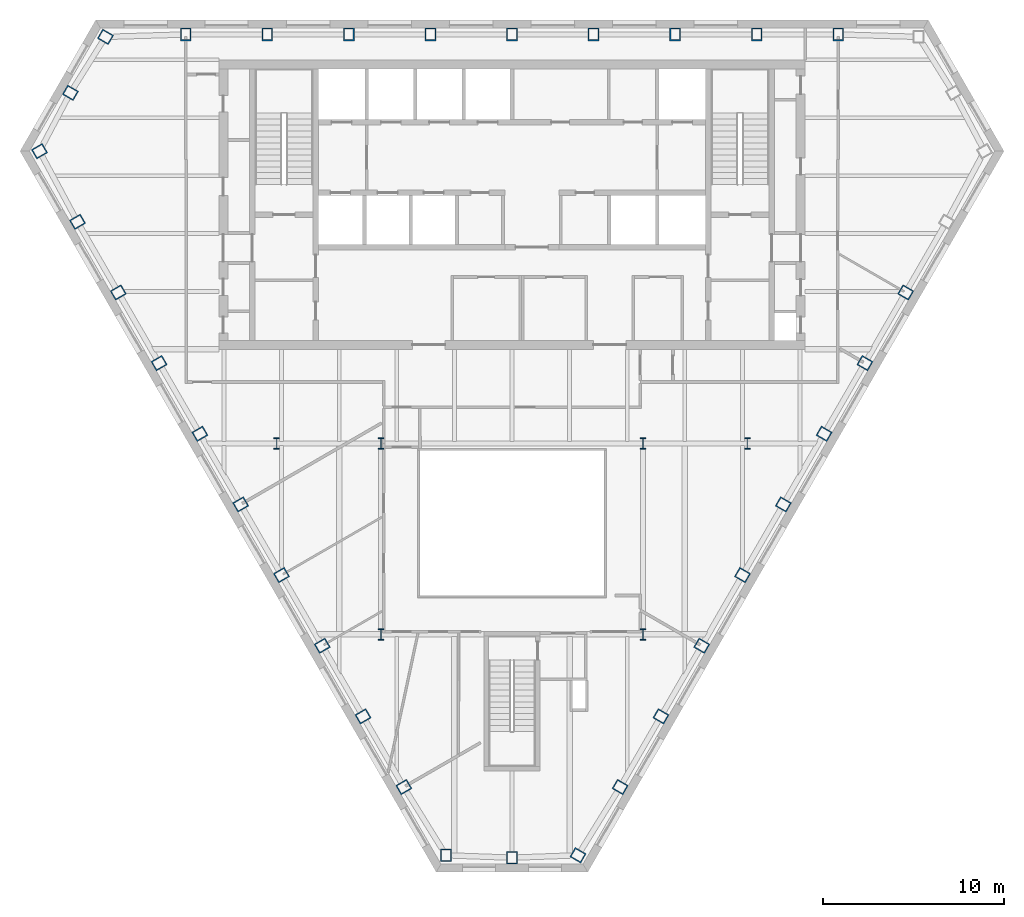
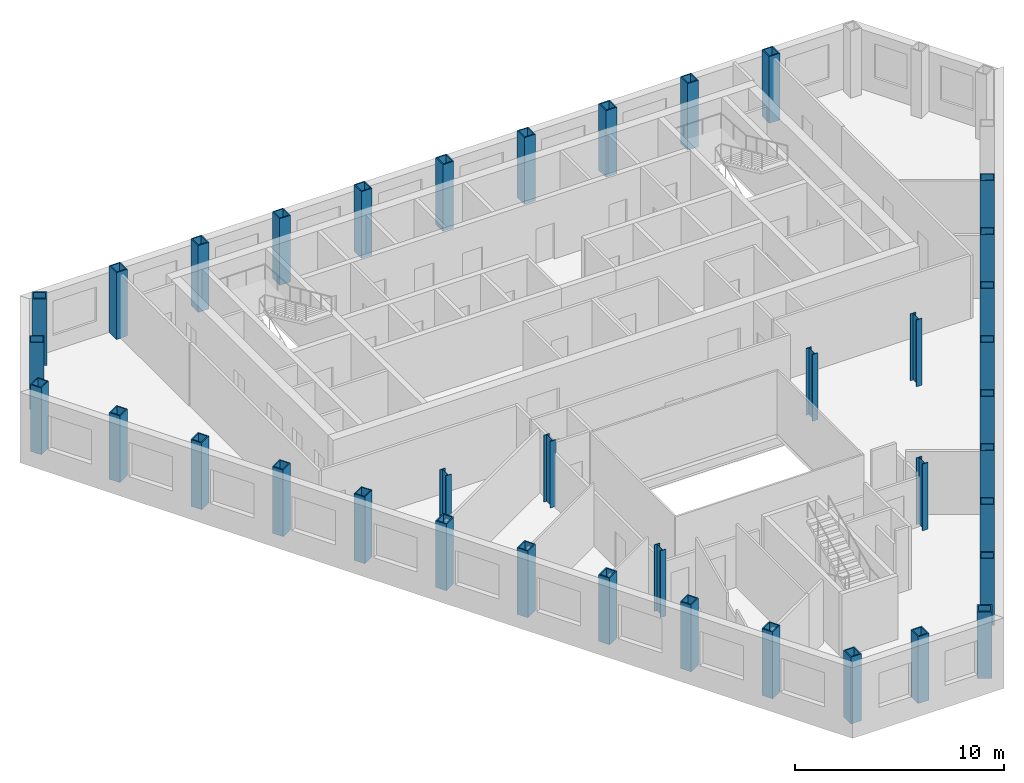
# One storey, part 1 of 10: 38 columns.
"""IFC4 building model written with IfcOpenShell, lengths in metres."""

from ifc_helpers import new_model, si_unit, direction, frame, origin, origin_2d, place, context, subcontext, project, spatial, hollow_rectangle, i_section, extrude, material, material_profile, profile_set, type_object, element, save


model = new_model("IFC4")

# Units and contexts
model_context = context("Model", 3, precision=1e-05, world=origin(), true_north=direction((0.0, 1.0)))
body_context = subcontext(model_context, "Body", "Model", "MODEL_VIEW")
ifc_project = project(units=[si_unit("LENGTHUNIT", "METRE"), si_unit("AREAUNIT", "SQUARE_METRE"), si_unit("VOLUMEUNIT", "CUBIC_METRE"), si_unit("PLANEANGLEUNIT", "RADIAN"), si_unit("MASSUNIT", "GRAM", prefix="KILO")], contexts=[model_context])

# Site, building, storey
site_placement = place(None, origin())
site = spatial("IfcSite", under=ifc_project, at=site_placement, CompositionType="ELEMENT")
building_placement = place(site_placement, origin())
building = spatial("IfcBuilding", under=site, at=building_placement, Name="Njiva Tower", CompositionType="ELEMENT")
storey_placement = place(building_placement, frame((0.0, 0.0, 171.0)))
storey = spatial("IfcBuildingStorey", under=building, at=storey_placement, Name="L37", CompositionType="ELEMENT", Elevation=171.0)

# Columns
ifc_material = material(Name="Steel S355 J2", Category="steel")
ifc_material_profile_1 = material_profile(ifc_material, i_section(OverallWidth=0.305, OverallDepth=0.62, WebThickness=0.021, FlangeThickness=0.04, at=origin_2d()), Name="HEM 600")
ifc_profile_set_1 = profile_set([ifc_material_profile_1], Name="Steel S355 J2")
column_type_1 = type_object("IfcColumnType", Name="C10 Interior column HEM 600", PredefinedType="COLUMN", material=ifc_profile_set_1)
for number, where, z_axis, x_axis, name in (
    (1, (7.24, -3.2, 0.0), (0.0, 0.0, 1.0), (1.0, 0.0, 0.0), "Interior column S12-C37"),
    (2, (-7.24, -3.2, 0.0), (0.0, 0.0, 1.0), (1.0, 0.0, 0.0), "Interior column S12-C38"),
    (3, (7.24, -13.75, 0.0), (0.0, 0.0, 1.0), (1.0, 0.0, 0.0), "Interior column S12-C39"),
    (4, (-7.24, -13.75, 0.0), (0.0, 0.0, 1.0), (1.0, 0.0, 0.0), "Interior column S12-C40"),
    (5, (13.0, -3.2, 0.0), (0.0, 0.0, 1.0), (1.0, 0.0, 0.0), "Interior column S12-C41"),
    (6, (-13.0, -3.2, 0.0), (0.0, 0.0, 1.0), (1.0, 0.0, 0.0), "Interior column S12-C42"),
):
    element("IfcColumn", number, at=place(storey_placement, frame(where, z_axis=z_axis, x_axis=x_axis)), inside=storey, type_object=column_type_1, Name=name, PredefinedType="COLUMN", context=body_context, shape_type="SweptSolid", body=[
        extrude(i_section(OverallWidth=0.305, OverallDepth=0.62, WebThickness=0.021, FlangeThickness=0.04, at=origin_2d()), origin(), (0.0, 0.0, 1.0), 3.9),
    ])
ifc_material_profile_2 = material_profile(ifc_material, hollow_rectangle(XDim=0.6, YDim=0.7, WallThickness=0.06, at=origin_2d()), Name="BOX 700x600x60")
ifc_profile_set_2 = profile_set([ifc_material_profile_2], Name="Steel S355 J2")
column_type_2 = type_object("IfcColumnType", Name="C9 Perimeter tube column BOX 700x600x60", PredefinedType="COLUMN", material=ifc_profile_set_2)
for number, where, z_axis, x_axis, name in (
    (7, (18.03, 19.4, 0.0), (0.0, 0.0, 1.0), (-1.0, 0.0, 0.0), "Perimeter tube column S12-C02"),
    (8, (13.523, 19.4, 0.0), (0.0, 0.0, 1.0), (-1.0, 0.0, 0.0), "Perimeter tube column S12-C03"),
    (9, (9.015, 19.4, 0.0), (0.0, 0.0, 1.0), (-1.0, 0.0, 0.0), "Perimeter tube column S12-C04"),
    (10, (4.508, 19.4, 0.0), (0.0, 0.0, 1.0), (-1.0, 0.0, 0.0), "Perimeter tube column S12-C05"),
    (11, (0.0, 19.4, 0.0), (0.0, 0.0, 1.0), (-1.0, 0.0, 0.0), "Perimeter tube column S12-C06"),
    (12, (-4.508, 19.4, 0.0), (0.0, 0.0, 1.0), (-1.0, 0.0, 0.0), "Perimeter tube column S12-C07"),
    (13, (-9.015, 19.4, 0.0), (0.0, 0.0, 1.0), (-1.0, 0.0, 0.0), "Perimeter tube column S12-C08"),
    (14, (-13.523, 19.4, 0.0), (0.0, 0.0, 1.0), (-1.0, 0.0, 0.0), "Perimeter tube column S12-C09"),
    (15, (-18.03, 19.4, 0.0), (0.0, 0.0, 1.0), (-1.0, 0.0, 0.0), "Perimeter tube column S12-C10"),
    (16, (-22.461, 19.267, 0.0), (0.0, 0.0, 1.0), (-0.5, -0.866025403784, 0.0), "Perimeter tube column S12-C11"),
    (17, (-24.4, 16.176, 0.0), (0.0, 0.0, 1.0), (-0.5, -0.866025403784, 0.0), "Perimeter tube column S12-C12"),
    (18, (-26.108, 12.951, 0.0), (0.0, 0.0, 1.0), (0.5, -0.866025403784, 0.0), "Perimeter tube column S12-C13"),
    (19, (-24.007, 9.048, 0.0), (0.0, 0.0, 1.0), (0.5, -0.866025403784, 0.0), "Perimeter tube column S12-C14"),
    (20, (-21.754, 5.144, 0.0), (0.0, 0.0, 1.0), (0.5, -0.866025403784, 0.0), "Perimeter tube column S12-C15"),
    (21, (-19.5, 1.24, 0.0), (0.0, 0.0, 1.0), (0.5, -0.866025403784, 0.0), "Perimeter tube column S12-C16"),
    (22, (-17.246, -2.664, 0.0), (0.0, 0.0, 1.0), (0.5, -0.866025403784, 0.0), "Perimeter tube column S12-C17"),
    (23, (-14.992, -6.567, 0.0), (0.0, 0.0, 1.0), (0.5, -0.866025403784, 0.0), "Perimeter tube column S12-C18"),
    (24, (-12.738, -10.471, 0.0), (0.0, 0.0, 1.0), (0.5, -0.866025403784, 0.0), "Perimeter tube column S12-C19"),
    (25, (-10.485, -14.375, 0.0), (0.0, 0.0, 1.0), (0.5, -0.866025403784, 0.0), "Perimeter tube column S12-C20"),
    (26, (-8.231, -18.278, 0.0), (0.0, 0.0, 1.0), (0.5, -0.866025403784, 0.0), "Perimeter tube column S12-C21"),
    (27, (-5.977, -22.182, 0.0), (0.0, 0.0, 1.0), (0.5, -0.866025403784, 0.0), "Perimeter tube column S12-C22"),
    (28, (-3.646, -25.953, 0.0), (0.0, 0.0, 1.0), (1.0, 0.0, 0.0), "Perimeter tube column S12-C23"),
    (29, (0.0, -26.086, 0.0), (0.0, 0.0, 1.0), (1.0, 0.0, 0.0), "Perimeter tube column S12-C24"),
    (30, (3.646, -25.953, 0.0), (0.0, 0.0, 1.0), (0.5, 0.866025403784, 0.0), "Perimeter tube column S12-C25"),
    (31, (5.977, -22.182, 0.0), (0.0, 0.0, 1.0), (0.5, 0.866025403784, 0.0), "Perimeter tube column S12-C26"),
    (32, (8.231, -18.278, 0.0), (0.0, 0.0, 1.0), (0.5, 0.866025403784, 0.0), "Perimeter tube column S12-C27"),
    (33, (10.485, -14.375, 0.0), (0.0, 0.0, 1.0), (0.5, 0.866025403784, 0.0), "Perimeter tube column S12-C28"),
    (34, (12.738, -10.471, 0.0), (0.0, 0.0, 1.0), (0.5, 0.866025403784, 0.0), "Perimeter tube column S12-C29"),
    (35, (14.992, -6.567, 0.0), (0.0, 0.0, 1.0), (0.5, 0.866025403784, 0.0), "Perimeter tube column S12-C30"),
    (36, (17.246, -2.664, 0.0), (0.0, 0.0, 1.0), (0.5, 0.866025403784, 0.0), "Perimeter tube column S12-C31"),
    (37, (19.5, 1.24, 0.0), (0.0, 0.0, 1.0), (0.5, 0.866025403784, 0.0), "Perimeter tube column S12-C32"),
    (38, (21.754, 5.144, 0.0), (0.0, 0.0, 1.0), (0.5, 0.866025403784, 0.0), "Perimeter tube column S12-C33"),
):
    element("IfcColumn", number, at=place(storey_placement, frame(where, z_axis=z_axis, x_axis=x_axis)), inside=storey, type_object=column_type_2, Name=name, PredefinedType="COLUMN", context=body_context, shape_type="SweptSolid", body=[
        extrude(hollow_rectangle(XDim=0.6, YDim=0.7, WallThickness=0.06, at=origin_2d()), origin(), (0.0, 0.0, 1.0), 3.9),
    ])

save(model, "model.ifc")
